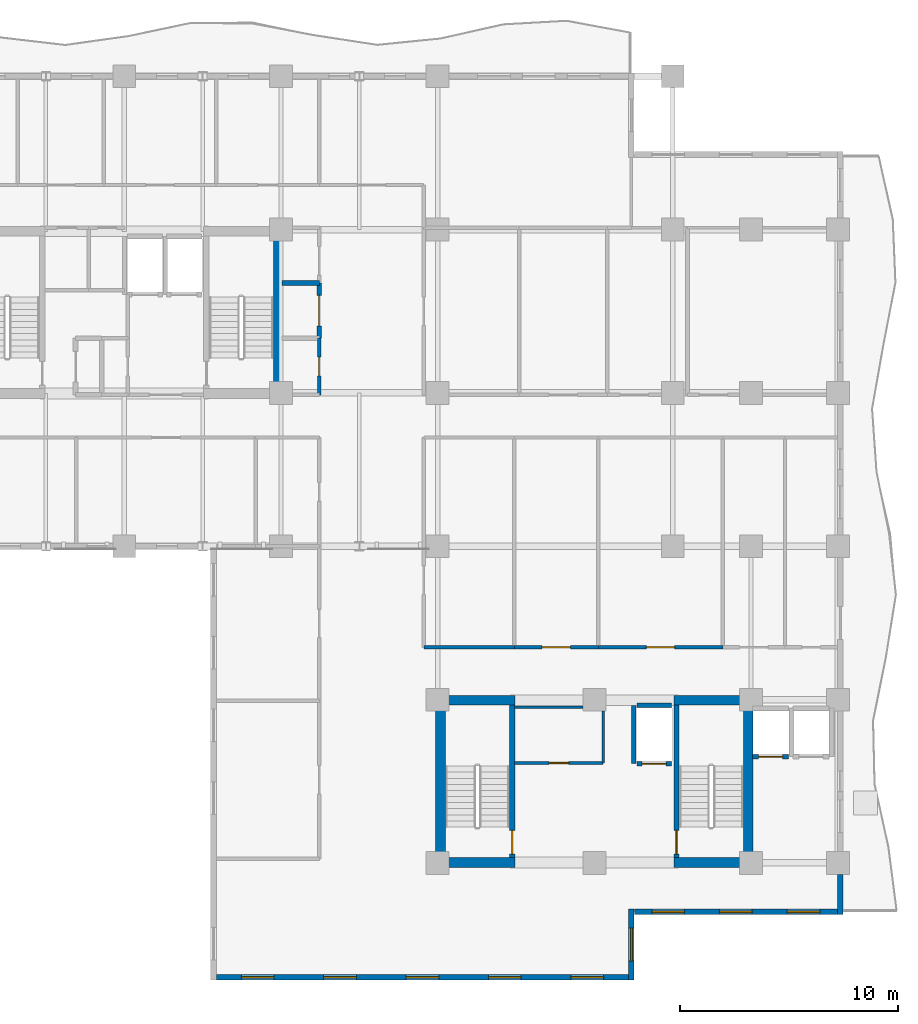
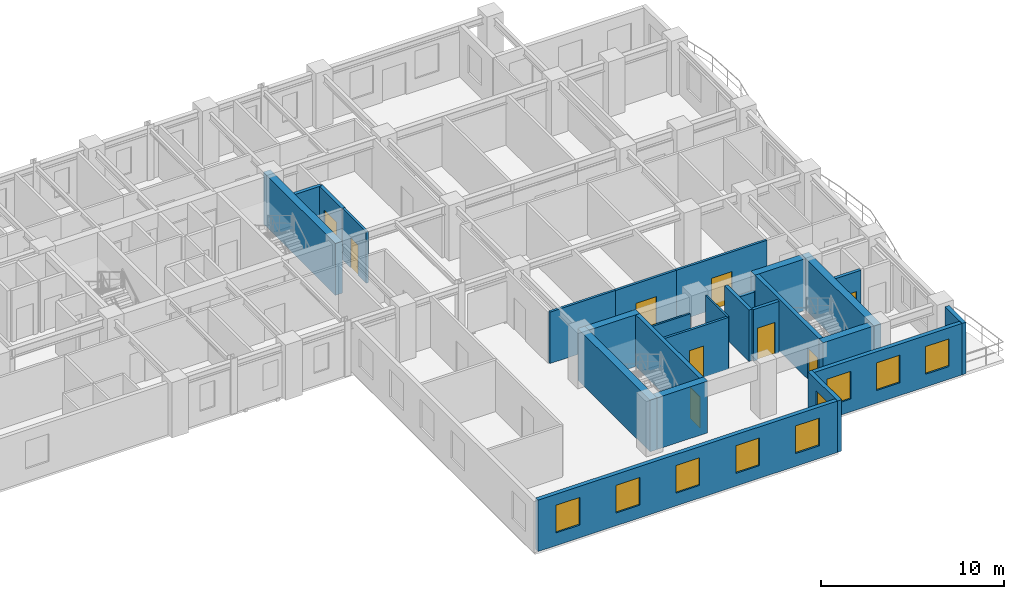
# One storey, part 6 of 13: 26 walls, 9 doors, 9 windows, 18 openings.
"""IFC4 building model written with IfcOpenShell, lengths in metres."""

import ifcopenshell
import ifcopenshell.guid

model = None  # the IFC model being written
_history = None  # IfcOwnerHistory: only IFC2X3 demands one
_inside = {}  # id of a spatial element -> (the spatial element, [elements in it])
_under = {}  # id of a project, library or spatial element -> (it, [spatial elements below it])
_declared = {}  # id of a project -> (the project, [libraries it declares])
_typed = {}  # id of a type object -> (the type object, [elements of that type])
_made_of = {}  # id of a material, layer set ... -> (it, [elements and type objects made of it])


def new_model(schema):
    """Start an empty IFC model of exactly this schema.

    Asked for "IFC4X3", IfcOpenShell would pick the latest addendum, in which some entities
    have other attributes; the version numbers below select the first issue.
    IFC2X3 requires an IfcOwnerHistory on every rooted entity: one is made here for all.
    """
    global model, _history
    if schema == "IFC4X3":
        model = ifcopenshell.file(schema_version=(4, 3, 0, 0))
    else:
        model = ifcopenshell.file(schema=schema)
    _inside.clear()
    _under.clear()
    _declared.clear()
    _typed.clear()
    _made_of.clear()
    _history = None
    if model.schema == "IFC2X3":
        org = make("IfcOrganization", Name="unknown")
        user = make(
            "IfcPersonAndOrganization",
            ThePerson=make("IfcPerson", FamilyName="unknown"),
            TheOrganization=org,
        )
        app = make(
            "IfcApplication",
            ApplicationDeveloper=org,
            Version="unknown",
            ApplicationFullName="unknown",
            ApplicationIdentifier="unknown",
        )
        _history = make(
            "IfcOwnerHistory",
            OwningUser=user,
            OwningApplication=app,
            ChangeAction="ADDED",
            CreationDate=0,
        )
    return model


def make(cls, **values):
    """One entity of the class cls with the attributes given. An attribute that is None is left unset."""
    return model.create_entity(
        cls, **{name: value for name, value in values.items() if value is not None}
    )


def rooted(cls, **values):
    """An entity with a GlobalId (a new one), such as an element, a storey or a relation."""
    return make(cls, GlobalId=ifcopenshell.guid.new(), OwnerHistory=_history, **values)


def si_unit(unit_type, name, prefix=None):
    """IfcSIUnit, for example si_unit("LENGTHUNIT", "METRE", prefix="MILLI")."""
    return make("IfcSIUnit", UnitType=unit_type, Prefix=prefix, Name=name)


def assignment(units):
    """IfcUnitAssignment: the units of a project."""
    return None if units is None else make("IfcUnitAssignment", Units=units)


def point(xyz):
    """IfcCartesianPoint."""
    return None if xyz is None else make("IfcCartesianPoint", Coordinates=xyz)


def direction(xyz):
    """IfcDirection."""
    return None if xyz is None else make("IfcDirection", DirectionRatios=xyz)


def frame(location, z_axis=None, x_axis=None):
    """IfcAxis2Placement3D, a coordinate frame: its origin and axes. An axis left out is left unset."""
    return make(
        "IfcAxis2Placement3D",
        Location=point(location),
        Axis=direction(z_axis),
        RefDirection=direction(x_axis),
    )


def frame_2d(location, x_axis=None):
    """IfcAxis2Placement2D, a coordinate frame in the plane: its origin and x axis."""
    return make(
        "IfcAxis2Placement2D", Location=point(location), RefDirection=direction(x_axis)
    )


def origin():
    """The frame at (0, 0, 0) with its axes left unset."""
    return frame((0.0, 0.0, 0.0))


def place(relative_to, where):
    """IfcLocalPlacement: puts the frame where relative to a parent placement (None: the world)."""
    return make(
        "IfcLocalPlacement", PlacementRelTo=relative_to, RelativePlacement=where
    )


def context(
    kind, dimensions, precision=None, world=None, true_north=None, identifier=None
):
    """IfcGeometricRepresentationContext, for example the 3D "Model" context."""
    return make(
        "IfcGeometricRepresentationContext",
        ContextIdentifier=identifier,
        ContextType=kind,
        CoordinateSpaceDimension=dimensions,
        Precision=precision,
        WorldCoordinateSystem=world,
        TrueNorth=true_north,
    )


def subcontext(parent, identifier, kind, view, scale=None):
    """IfcGeometricRepresentationSubContext, for example "Body" below "Model"."""
    return make(
        "IfcGeometricRepresentationSubContext",
        ContextIdentifier=identifier,
        ContextType=kind,
        ParentContext=parent,
        TargetScale=scale,
        TargetView=view,
    )


def project(units=None, contexts=None):
    """IfcProject with its units and contexts."""
    return rooted(
        "IfcProject",
        Name="project",
        RepresentationContexts=contexts,
        UnitsInContext=assignment(units),
    )


def spatial(cls, under=None, at=None, **own):
    """A site, building, storey or space (cls), placed at a placement, below another one or the project."""
    s = rooted(cls, ObjectPlacement=at, **own)
    if under is not None:
        _under.setdefault(under.id(), (under, []))[1].append(s)
    return s


def profile(cls, at=None, kind="AREA", **sizes):
    """A parametric profile (cls). Its sizes go by their IFC names, for example OverallWidth=200.0."""
    return make(cls, ProfileType=kind, Position=at, **sizes)


def rectangle(**sizes):
    """IfcRectangleProfileDef."""
    return profile("IfcRectangleProfileDef", **sizes)


def extrude(swept, where, along, depth):
    """IfcExtrudedAreaSolid: the profile swept, set in the frame where, extruded along a direction by depth."""
    return make(
        "IfcExtrudedAreaSolid",
        SweptArea=swept,
        Position=where,
        ExtrudedDirection=direction(along),
        Depth=depth,
    )


def shape(context_of_items, identifier, shape_type, items):
    """IfcShapeRepresentation: the items that make up one representation, for example the "Body"."""
    return make(
        "IfcShapeRepresentation",
        ContextOfItems=context_of_items,
        RepresentationIdentifier=identifier,
        RepresentationType=shape_type,
        Items=items,
    )


def material(Name=None, Category=None):
    """IfcMaterial."""
    return make("IfcMaterial", Name=Name, Category=Category)


def layer(
    of_material, thickness, ventilated=None, Name=None, Category=None, Priority=None
):
    """IfcMaterialLayer: one layer of a wall or slab, of a material (None: an air gap)."""
    return make(
        "IfcMaterialLayer",
        Material=of_material,
        LayerThickness=thickness,
        IsVentilated=ventilated,
        Name=Name,
        Category=Category,
        Priority=Priority,
    )


def layer_set(layers, Name=None):
    """IfcMaterialLayerSet."""
    return make("IfcMaterialLayerSet", MaterialLayers=layers, LayerSetName=Name)


def made_of(thing, what):
    """Note that an element or type object is made of a material, layer set ...; save() writes the relation."""
    if what is not None:
        _made_of.setdefault(what.id(), (what, []))[1].append(thing)
    return thing


def type_object(cls, material=None, **own):
    """A type object (cls), such as IfcWallType, which elements share."""
    return made_of(rooted(cls, **own), material)


def element(
    cls,
    number,
    at=None,
    inside=None,
    cuts=None,
    type_object=None,
    material=None,
    context=None,
    identifier="Body",
    shape_type=None,
    held_by="IfcProductDefinitionShape",
    body=None,
    shapes=None,
    **own,
):
    """One element of the class cls, such as IfcWall. Its Tag is "e" and its number.

    at: its placement. inside: the storey or other place that contains it. cuts: it is an
    opening in that element (IfcRelVoidsElement). A single representation is given by context,
    identifier, shape_type and body (its items); several are given by shapes. held_by: the class
    of the entity that holds the representations. save() writes the other relations.
    """
    e = rooted(cls, Tag="e%d" % number, ObjectPlacement=at, **own)
    if body is not None:
        shapes = [shape(context, identifier, shape_type, body)]
    if shapes is not None:
        e.Representation = make(held_by, Representations=shapes)
    if inside is not None:
        _inside.setdefault(inside.id(), (inside, []))[1].append(e)
    if cuts is not None:
        rooted(
            "IfcRelVoidsElement", RelatingBuildingElement=cuts, RelatedOpeningElement=e
        )
    if type_object is not None:
        _typed.setdefault(type_object.id(), (type_object, []))[1].append(e)
    return made_of(e, material)


def fill(opening, filler):
    """IfcRelFillsElement: the door or window that sits in an opening."""
    return rooted(
        "IfcRelFillsElement",
        RelatingOpeningElement=opening,
        RelatedBuildingElement=filler,
    )


def aggregate(whole, parts):
    """IfcRelAggregates: a whole, such as a stair, and the parts it consists of."""
    return rooted("IfcRelAggregates", RelatingObject=whole, RelatedObjects=parts)


def save(model, path):
    """Write the relations noted so far, then the file.

    IfcRelAggregates (storeys below a building ...), IfcRelContainedInSpatialStructure (elements
    in a storey), IfcRelDefinesByType, IfcRelAssociatesMaterial and IfcRelDeclares: one each for
    every whole, place, type object, material and project.
    """
    for whole, parts in _under.values():
        aggregate(whole, parts)
    for where, things in _inside.values():
        rooted(
            "IfcRelContainedInSpatialStructure",
            RelatedElements=things,
            RelatingStructure=where,
        )
    for kind, things in _typed.values():
        rooted("IfcRelDefinesByType", RelatedObjects=things, RelatingType=kind)
    for what, things in _made_of.values():
        rooted("IfcRelAssociatesMaterial", RelatedObjects=things, RelatingMaterial=what)
    for by, libraries in _declared.values():
        rooted("IfcRelDeclares", RelatingContext=by, RelatedDefinitions=libraries)
    model.write(path)


model = new_model("IFC4")

# Units and contexts
model_context = context("Model", 3, precision=1e-05, world=origin(), true_north=direction((0.0, 1.0)))
body_context = subcontext(model_context, "Body", "Model", "MODEL_VIEW")
ifc_project = project(units=[si_unit("LENGTHUNIT", "METRE"), si_unit("AREAUNIT", "SQUARE_METRE"), si_unit("VOLUMEUNIT", "CUBIC_METRE"), si_unit("PLANEANGLEUNIT", "RADIAN"), si_unit("MASSUNIT", "GRAM", prefix="KILO")], contexts=[model_context])

# Site, building, storey
site_placement = place(None, origin())
site = spatial("IfcSite", under=ifc_project, at=site_placement, CompositionType="ELEMENT")
building_placement = place(site_placement, origin())
building = spatial("IfcBuilding", under=site, at=building_placement, Name="Kaliganga Portal Commons", CompositionType="ELEMENT")
storey_placement = place(building_placement, frame((0.0, 0.0, 166.10009765625)))
storey = spatial("IfcBuildingStorey", under=building, at=storey_placement, Name="L42", CompositionType="ELEMENT", Elevation=166.10009765625)

# Walls
ifc_material_1 = material(Name="Concrete C60/75", Category="concrete")
ifc_layer_1 = layer(ifc_material_1, 0.449951171875)
ifc_layer_set_1 = layer_set([ifc_layer_1], Name="Concrete C60/75")
wall_type_1 = type_object("IfcWallType", Name="WL-CORE-450", PredefinedType="SHEAR", material=ifc_layer_set_1)
wall_1_placement = place(storey_placement, frame((28.675048828125, 28.39990234375, 0.0), z_axis=(0.0, 0.0, 1.0), x_axis=(0.0, 1.0, 0.0)))
element("IfcWall", 1, at=wall_1_placement, inside=storey, type_object=wall_type_1, Name="Core A East Shear Wall L42", PredefinedType="SHEAR", context=body_context, shape_type="SweptSolid", body=[
    extrude(rectangle(XDim=7.900146484375, YDim=0.449951171875, at=frame_2d((3.9501953125, 0.0))), origin(), (0.0, 0.0, 1.0), 3.4599609375),
])
for number, where, z_axis, x_axis, name in (
    (2, (36.125, 6.85009765625, 0.0), (0.0, 0.0, 1.0), (0.0, 1.0, 0.0), "Core B West Shear Wall L42"),
    (3, (50.27490234375, 6.85009765625, 0.0), (0.0, 0.0, 1.0), (0.0, 1.0, 0.0), "Core B East Shear Wall L42"),
):
    element("IfcWall", number, at=place(storey_placement, frame(where, z_axis=z_axis, x_axis=x_axis)), inside=storey, type_object=wall_type_1, Name=name, PredefinedType="SHEAR", context=body_context, shape_type="SweptSolid", body=[
        extrude(rectangle(XDim=7.89990234375, YDim=0.449951171875, at=frame_2d((3.949951171875, 0.0))), origin(), (0.0, 0.0, 1.0), 3.4599609375),
    ])
for number, where, z_axis, x_axis, name in (
    (4, (36.35009765625, 7.074951171875, 0.0), (0.0, 0.0, 1.0), (1.0, 0.0, 0.0), "Core B S-West Shear Wall L42"),
    (5, (46.85009765625, 7.074951171875, 0.0), (0.0, 0.0, 1.0), (1.0, 0.0, 0.0), "Core B S-East Shear Wall L42"),
    (6, (36.35009765625, 14.52490234375, 0.0), (0.0, 0.0, 1.0), (1.0, 0.0, 0.0), "Core B N-West Shear Wall L42"),
    (7, (46.85009765625, 14.52490234375, 0.0), (0.0, 0.0, 1.0), (1.0, 0.0, 0.0), "Core B N-East Shear Wall L42"),
):
    element("IfcWall", number, at=place(storey_placement, frame(where, z_axis=z_axis, x_axis=x_axis)), inside=storey, type_object=wall_type_1, Name=name, PredefinedType="SHEAR", context=body_context, shape_type="SweptSolid", body=[
        extrude(rectangle(XDim=3.199951171875, YDim=0.449951171875, at=frame_2d((1.60009765625, 0.0))), origin(), (0.0, 0.0, 1.0), 3.4599609375),
    ])

# Wall, openings, windows
ifc_material_2 = material(Name="Insulated Aluminium-Clad Spandrel Assembly", Category="aluminium")
ifc_layer_2 = layer(ifc_material_2, 0.260009765625)
ifc_layer_set_2 = layer_set([ifc_layer_2], Name="Insulated Aluminium-Clad Spandrel Assembly")
wall_type_2 = type_object("IfcWallType", Name="WL-EXT-SPAND-260", PredefinedType="STANDARD", material=ifc_layer_set_2)
wall_2_placement = place(storey_placement, frame((44.764892578125, 1.800048828125, 0.0), z_axis=(0.0, 0.0, 1.0), x_axis=(-1.0, 0.0, 0.0)))
wall_2 = element("IfcWall", 8, at=wall_2_placement, inside=storey, type_object=wall_type_2, Name="Exterior Envelope Wall L42 P1-E00-S1", PredefinedType="STANDARD", context=body_context, shape_type="SweptSolid", body=[
    extrude(rectangle(XDim=18.929931640625, YDim=0.260009765625, at=frame_2d((9.46484375, 0.0))), origin(), (0.0, 0.0, 1.0), 3.43994140625),
])
opening_1_placement = place(wall_2_placement, frame((1.14306640625, 0.0, 0.85009765625)))
opening_1 = element("IfcOpeningElement", 9, at=opening_1_placement, cuts=wall_2, Name="Opening W-02", PredefinedType="OPENING", context=body_context, shape_type="SweptSolid", body=[
    extrude(rectangle(XDim=1.5, YDim=1.85009765625, at=frame_2d((0.75, 0.925048828125))), frame((0.0, 0.14013671875, 0.0), z_axis=(0.0, -1.0, 0.0), x_axis=(1.0, 0.0, 0.0)), (0.0, 0.0, 1.0), 0.280029296875),
])
opening_2_placement = place(wall_2_placement, frame((4.928955078125, 0.0, 0.85009765625)))
opening_2 = element("IfcOpeningElement", 10, at=opening_2_placement, cuts=wall_2, Name="Opening W-02", PredefinedType="OPENING", context=body_context, shape_type="SweptSolid", body=[
    extrude(rectangle(XDim=1.5, YDim=1.85009765625, at=frame_2d((0.75, 0.925048828125))), frame((0.0, 0.14013671875, 0.0), z_axis=(0.0, -1.0, 0.0), x_axis=(1.0, 0.0, 0.0)), (0.0, 0.0, 1.0), 0.280029296875),
])
opening_3_placement = place(wall_2_placement, frame((8.715087890625, 0.0, 0.85009765625)))
opening_3 = element("IfcOpeningElement", 11, at=opening_3_placement, cuts=wall_2, Name="Opening W-02", PredefinedType="OPENING", context=body_context, shape_type="SweptSolid", body=[
    extrude(rectangle(XDim=1.5, YDim=1.85009765625, at=frame_2d((0.75, 0.925048828125))), frame((0.0, 0.14013671875, 0.0), z_axis=(0.0, -1.0, 0.0), x_axis=(1.0, 0.0, 0.0)), (0.0, 0.0, 1.0), 0.280029296875),
])
opening_4_placement = place(wall_2_placement, frame((12.5009765625, 0.0, 0.85009765625)))
opening_4 = element("IfcOpeningElement", 12, at=opening_4_placement, cuts=wall_2, Name="Opening W-02", PredefinedType="OPENING", context=body_context, shape_type="SweptSolid", body=[
    extrude(rectangle(XDim=1.5, YDim=1.85009765625, at=frame_2d((0.75, 0.925048828125))), frame((0.0, 0.14013671875, 0.0), z_axis=(0.0, -1.0, 0.0), x_axis=(1.0, 0.0, 0.0)), (0.0, 0.0, 1.0), 0.280029296875),
])
opening_5_placement = place(wall_2_placement, frame((16.287109375, 0.0, 0.85009765625)))
opening_5 = element("IfcOpeningElement", 13, at=opening_5_placement, cuts=wall_2, Name="Opening W-02", PredefinedType="OPENING", context=body_context, shape_type="SweptSolid", body=[
    extrude(rectangle(XDim=1.5, YDim=1.85009765625, at=frame_2d((0.75, 0.925048828125))), frame((0.0, 0.14013671875, 0.0), z_axis=(0.0, -1.0, 0.0), x_axis=(1.0, 0.0, 0.0)), (0.0, 0.0, 1.0), 0.280029296875),
])
ifc_material_3 = material(Name="Thermally Broken Aluminium and Low-E Double Glazing", Category="aluminium")
window_type = type_object("IfcWindowType", Name="WIN-STD-1500", PartitioningType="DOUBLE_PANEL_VERTICAL", PredefinedType="WINDOW", material=ifc_material_3)
window_1_placement = place(opening_1_placement, origin())
window_1 = element("IfcWindow", 14, at=window_1_placement, inside=storey, type_object=window_type, Name="Facade Window L42-P1E00S1-00", OverallHeight=1.85009765625, OverallWidth=1.5, PartitioningType="SINGLE_PANEL", PredefinedType="WINDOW", context=body_context, shape_type="SweptSolid", body=[
    extrude(rectangle(XDim=1.5, YDim=1.85009765625, at=frame_2d((0.75, 0.925048828125))), frame((0.0, 0.030029296875, 0.0), z_axis=(0.0, -1.0, 0.0), x_axis=(1.0, 0.0, 0.0)), (0.0, 0.0, 1.0), 0.06005859375),
])
fill(opening_1, window_1)
window_2_placement = place(opening_2_placement, origin())
window_2 = element("IfcWindow", 15, at=window_2_placement, inside=storey, type_object=window_type, Name="Facade Window L42-P1E00S1-01", OverallHeight=1.85009765625, OverallWidth=1.5, PartitioningType="SINGLE_PANEL", PredefinedType="WINDOW", context=body_context, shape_type="SweptSolid", body=[
    extrude(rectangle(XDim=1.5, YDim=1.85009765625, at=frame_2d((0.75, 0.925048828125))), frame((0.0, 0.030029296875, 0.0), z_axis=(0.0, -1.0, 0.0), x_axis=(1.0, 0.0, 0.0)), (0.0, 0.0, 1.0), 0.06005859375),
])
fill(opening_2, window_2)
window_3_placement = place(opening_3_placement, origin())
window_3 = element("IfcWindow", 16, at=window_3_placement, inside=storey, type_object=window_type, Name="Facade Window L42-P1E00S1-02", OverallHeight=1.85009765625, OverallWidth=1.5, PartitioningType="SINGLE_PANEL", PredefinedType="WINDOW", context=body_context, shape_type="SweptSolid", body=[
    extrude(rectangle(XDim=1.5, YDim=1.85009765625, at=frame_2d((0.75, 0.925048828125))), frame((0.0, 0.030029296875, 0.0), z_axis=(0.0, -1.0, 0.0), x_axis=(1.0, 0.0, 0.0)), (0.0, 0.0, 1.0), 0.06005859375),
])
fill(opening_3, window_3)
window_4_placement = place(opening_4_placement, origin())
window_4 = element("IfcWindow", 17, at=window_4_placement, inside=storey, type_object=window_type, Name="Facade Window L42-P1E00S1-03", OverallHeight=1.85009765625, OverallWidth=1.5, PartitioningType="SINGLE_PANEL", PredefinedType="WINDOW", context=body_context, shape_type="SweptSolid", body=[
    extrude(rectangle(XDim=1.5, YDim=1.85009765625, at=frame_2d((0.75, 0.925048828125))), frame((0.0, 0.030029296875, 0.0), z_axis=(0.0, -1.0, 0.0), x_axis=(1.0, 0.0, 0.0)), (0.0, 0.0, 1.0), 0.06005859375),
])
fill(opening_4, window_4)
window_5_placement = place(opening_5_placement, origin())
window_5 = element("IfcWindow", 18, at=window_5_placement, inside=storey, type_object=window_type, Name="Facade Window L42-P1E00S1-04", OverallHeight=1.85009765625, OverallWidth=1.5, PartitioningType="SINGLE_PANEL", PredefinedType="WINDOW", context=body_context, shape_type="SweptSolid", body=[
    extrude(rectangle(XDim=1.5, YDim=1.85009765625, at=frame_2d((0.75, 0.925048828125))), frame((0.0, 0.030029296875, 0.0), z_axis=(0.0, -1.0, 0.0), x_axis=(1.0, 0.0, 0.0)), (0.0, 0.0, 1.0), 0.06005859375),
])
fill(opening_5, window_5)

# Wall, opening, window
wall_3_placement = place(storey_placement, frame((44.89990234375, 4.929931640625, 0.0), z_axis=(0.0, 0.0, 1.0), x_axis=(0.0, -1.0, 0.0)))
wall_3 = element("IfcWall", 19, at=wall_3_placement, inside=storey, type_object=wall_type_2, Name="Exterior Envelope Wall L42 P1-E01-S1", PredefinedType="STANDARD", context=body_context, shape_type="SweptSolid", body=[
    extrude(rectangle(XDim=3.260009765625, YDim=0.260009765625, at=frame_2d((1.6298828125, 0.0))), origin(), (0.0, 0.0, 1.0), 3.43994140625),
])
opening_6_placement = place(wall_3_placement, frame((0.8798828125, 0.0, 0.85009765625)))
opening_6 = element("IfcOpeningElement", 20, at=opening_6_placement, cuts=wall_3, Name="Opening W-02", PredefinedType="OPENING", context=body_context, shape_type="SweptSolid", body=[
    extrude(rectangle(XDim=1.5, YDim=1.85009765625, at=frame_2d((0.75, 0.925048828125))), frame((0.0, 0.14013671875, 0.0), z_axis=(0.0, -1.0, 0.0), x_axis=(1.0, 0.0, 0.0)), (0.0, 0.0, 1.0), 0.280029296875),
])
window_6_placement = place(opening_6_placement, origin())
window_6 = element("IfcWindow", 21, at=window_6_placement, inside=storey, type_object=window_type, Name="Facade Window L42-P1E01S1-00", OverallHeight=1.85009765625, OverallWidth=1.5, PartitioningType="SINGLE_PANEL", PredefinedType="WINDOW", context=body_context, shape_type="SweptSolid", body=[
    extrude(rectangle(XDim=1.5, YDim=1.85009765625, at=frame_2d((0.75, 0.925048828125))), frame((0.0, 0.030029296875, 0.0), z_axis=(0.0, -1.0, 0.0), x_axis=(1.0, 0.0, 0.0)), (0.0, 0.0, 1.0), 0.06005859375),
])
fill(opening_6, window_6)

# Wall, openings, windows
wall_4_placement = place(storey_placement, frame((54.364990234375, 4.800048828125, 0.0), z_axis=(0.0, 0.0, 1.0), x_axis=(-1.0, 0.0, 0.0)))
wall_4 = element("IfcWall", 22, at=wall_4_placement, inside=storey, type_object=wall_type_2, Name="Exterior Envelope Wall L42 P1-E02-S1", PredefinedType="STANDARD", context=body_context, shape_type="SweptSolid", body=[
    extrude(rectangle(XDim=9.330078125, YDim=0.260009765625, at=frame_2d((4.6650390625, 0.0))), origin(), (0.0, 0.0, 1.0), 3.43994140625),
])
opening_7_placement = place(wall_4_placement, frame((0.804931640625, 0.0, 0.85009765625)))
opening_7 = element("IfcOpeningElement", 23, at=opening_7_placement, cuts=wall_4, Name="Opening W-02", PredefinedType="OPENING", context=body_context, shape_type="SweptSolid", body=[
    extrude(rectangle(XDim=1.5, YDim=1.85009765625, at=frame_2d((0.75, 0.925048828125))), frame((0.0, 0.14013671875, 0.0), z_axis=(0.0, -1.0, 0.0), x_axis=(1.0, 0.0, 0.0)), (0.0, 0.0, 1.0), 0.280029296875),
])
opening_8_placement = place(wall_4_placement, frame((3.9150390625, 0.0, 0.85009765625)))
opening_8 = element("IfcOpeningElement", 24, at=opening_8_placement, cuts=wall_4, Name="Opening W-02", PredefinedType="OPENING", context=body_context, shape_type="SweptSolid", body=[
    extrude(rectangle(XDim=1.5, YDim=1.85009765625, at=frame_2d((0.75, 0.925048828125))), frame((0.0, 0.14013671875, 0.0), z_axis=(0.0, -1.0, 0.0), x_axis=(1.0, 0.0, 0.0)), (0.0, 0.0, 1.0), 0.280029296875),
])
opening_9_placement = place(wall_4_placement, frame((7.02490234375, 0.0, 0.85009765625)))
opening_9 = element("IfcOpeningElement", 25, at=opening_9_placement, cuts=wall_4, Name="Opening W-02", PredefinedType="OPENING", context=body_context, shape_type="SweptSolid", body=[
    extrude(rectangle(XDim=1.5, YDim=1.85009765625, at=frame_2d((0.75, 0.925048828125))), frame((0.0, 0.14013671875, 0.0), z_axis=(0.0, -1.0, 0.0), x_axis=(1.0, 0.0, 0.0)), (0.0, 0.0, 1.0), 0.280029296875),
])
window_7_placement = place(opening_7_placement, origin())
window_7 = element("IfcWindow", 26, at=window_7_placement, inside=storey, type_object=window_type, Name="Facade Window L42-P1E02S1-00", OverallHeight=1.85009765625, OverallWidth=1.5, PartitioningType="SINGLE_PANEL", PredefinedType="WINDOW", context=body_context, shape_type="SweptSolid", body=[
    extrude(rectangle(XDim=1.5, YDim=1.85009765625, at=frame_2d((0.75, 0.925048828125))), frame((0.0, 0.030029296875, 0.0), z_axis=(0.0, -1.0, 0.0), x_axis=(1.0, 0.0, 0.0)), (0.0, 0.0, 1.0), 0.06005859375),
])
fill(opening_7, window_7)
window_8_placement = place(opening_8_placement, origin())
window_8 = element("IfcWindow", 27, at=window_8_placement, inside=storey, type_object=window_type, Name="Facade Window L42-P1E02S1-01", OverallHeight=1.85009765625, OverallWidth=1.5, PartitioningType="SINGLE_PANEL", PredefinedType="WINDOW", context=body_context, shape_type="SweptSolid", body=[
    extrude(rectangle(XDim=1.5, YDim=1.85009765625, at=frame_2d((0.75, 0.925048828125))), frame((0.0, 0.030029296875, 0.0), z_axis=(0.0, -1.0, 0.0), x_axis=(1.0, 0.0, 0.0)), (0.0, 0.0, 1.0), 0.06005859375),
])
fill(opening_8, window_8)
window_9_placement = place(opening_9_placement, origin())
window_9 = element("IfcWindow", 28, at=window_9_placement, inside=storey, type_object=window_type, Name="Facade Window L42-P1E02S1-02", OverallHeight=1.85009765625, OverallWidth=1.5, PartitioningType="SINGLE_PANEL", PredefinedType="WINDOW", context=body_context, shape_type="SweptSolid", body=[
    extrude(rectangle(XDim=1.5, YDim=1.85009765625, at=frame_2d((0.75, 0.925048828125))), frame((0.0, 0.030029296875, 0.0), z_axis=(0.0, -1.0, 0.0), x_axis=(1.0, 0.0, 0.0)), (0.0, 0.0, 1.0), 0.06005859375),
])
fill(opening_9, window_9)

# Wall
wall_5_placement = place(storey_placement, frame((54.5, 6.52392578125, 0.0), z_axis=(0.0, 0.0, 1.0), x_axis=(0.0, -1.0, 0.0)))
element("IfcWall", 29, at=wall_5_placement, inside=storey, type_object=wall_type_2, Name="Exterior Envelope Wall L42 P1-E03-S1", PredefinedType="STANDARD", context=body_context, shape_type="SweptSolid", body=[
    extrude(rectangle(XDim=1.85400390625, YDim=0.260009765625, at=frame_2d((0.927001953125, 0.0))), origin(), (0.0, 0.0, 1.0), 3.43994140625),
])

# Wall, opening, door
ifc_material_4 = material(Name="Fire-Rated Gypsum Board on Steel Stud", Category="steel")
ifc_layer_3 = layer(ifc_material_4, 0.14990234375)
ifc_layer_set_3 = layer_set([ifc_layer_3], Name="Fire-Rated Gypsum Board on Steel Stud")
wall_type_3 = type_object("IfcWallType", Name="WL-PART-CORR-150", PredefinedType="PARTITIONING", material=ifc_layer_set_3)
wall_6_placement = place(storey_placement, frame((43.3798828125, 16.9599609375, 0.0), z_axis=(0.0, 0.0, 1.0), x_axis=(1.0, 0.0, 0.0)))
wall_6 = element("IfcWall", 30, at=wall_6_placement, inside=storey, type_object=wall_type_3, Name="Interior Partition L42-017", PredefinedType="PARTITIONING", context=body_context, shape_type="SweptSolid", body=[
    extrude(rectangle(XDim=5.72021484375, YDim=0.14990234375, at=frame_2d((2.860107421875, 0.0))), origin(), (0.0, 0.0, 1.0), 3.43994140625),
])
opening_10_placement = place(wall_6_placement, frame((2.2099609375, 0.0, 0.0)))
opening_10 = element("IfcOpeningElement", 31, at=opening_10_placement, cuts=wall_6, Name="Opening RD-03", PredefinedType="OPENING", context=body_context, shape_type="SweptSolid", body=[
    extrude(rectangle(XDim=1.300048828125, YDim=2.1201171875, at=frame_2d((0.64990234375, 1.06005859375))), frame((0.0, 0.0849609375, 0.0), z_axis=(0.0, -1.0, 0.0), x_axis=(1.0, 0.0, 0.0)), (0.0, 0.0, 1.0), 0.169921875),
])
ifc_material_5 = material(Name="Glazed Timber Seminar Vision Door", Category="wood")
door_type_1 = type_object("IfcDoorType", Name="DR-STUDY-1300", OperationType="DOUBLE_DOOR_SINGLE_SWING", PredefinedType="DOOR", material=ifc_material_5)
door_1_placement = place(opening_10_placement, origin())
door_1 = element("IfcDoor", 32, at=door_1_placement, inside=storey, type_object=door_type_1, Name="Interior Door L42-BM03", OperationType="DOUBLE_DOOR_SINGLE_SWING", OverallHeight=2.1201171875, OverallWidth=1.300048828125, PredefinedType="DOOR", context=body_context, shape_type="SweptSolid", body=[
    extrude(rectangle(XDim=1.300048828125, YDim=2.1201171875, at=frame_2d((0.64990234375, 1.06005859375))), frame((0.0, 0.02490234375, 0.0), z_axis=(0.0, -1.0, 0.0), x_axis=(1.0, 0.0, 0.0)), (0.0, 0.0, 1.0), 0.050048828125),
])
fill(opening_10, door_1)

# Wall
wall_7_placement = place(storey_placement, frame((35.360107421875, 16.9599609375, 0.0), z_axis=(0.0, 0.0, 1.0), x_axis=(1.0, 0.0, 0.0)))
element("IfcWall", 33, at=wall_7_placement, inside=storey, type_object=wall_type_3, Name="Interior Partition L42-025", PredefinedType="PARTITIONING", context=body_context, shape_type="SweptSolid", body=[
    extrude(rectangle(XDim=4.159912109375, YDim=0.14990234375, at=frame_2d((2.080078125, 0.0))), origin(), (0.0, 0.0, 1.0), 3.43994140625),
])

# Wall, opening, door
wall_8_placement = place(storey_placement, frame((39.5400390625, 11.639892578125, 0.0), z_axis=(0.0, 0.0, 1.0), x_axis=(1.0, 0.0, 0.0)))
wall_8 = element("IfcWall", 34, at=wall_8_placement, inside=storey, type_object=wall_type_3, Name="Interior Partition L42-027", PredefinedType="PARTITIONING", context=body_context, shape_type="SweptSolid", body=[
    extrude(rectangle(XDim=4.06005859375, YDim=0.14990234375, at=frame_2d((2.030029296875, 0.0))), origin(), (0.0, 0.0, 1.0), 3.43994140625),
])
opening_11_placement = place(wall_8_placement, frame((1.580078125, 0.0, 0.0)))
opening_11 = element("IfcOpeningElement", 35, at=opening_11_placement, cuts=wall_8, Name="Opening RD-01", PredefinedType="OPENING", context=body_context, shape_type="SweptSolid", body=[
    extrude(rectangle(XDim=0.89990234375, YDim=2.080078125, at=frame_2d((0.449951171875, 1.0400390625))), frame((0.0, 0.0849609375, 0.0), z_axis=(0.0, -1.0, 0.0), x_axis=(1.0, 0.0, 0.0)), (0.0, 0.0, 1.0), 0.169921875),
])
ifc_material_6 = material(Name="Engineered Timber Flush Door", Category="wood")
door_type_2 = type_object("IfcDoorType", Name="DR-ROOM-900", OperationType="NOTDEFINED", PredefinedType="DOOR", material=ifc_material_6)
door_2_placement = place(opening_11_placement, origin())
door_2 = element("IfcDoor", 36, at=door_2_placement, inside=storey, type_object=door_type_2, Name="Interior Door L42-CREC_B1", OperationType="SINGLE_SWING_LEFT", OverallHeight=2.080078125, OverallWidth=0.89990234375, PredefinedType="DOOR", context=body_context, shape_type="SweptSolid", body=[
    extrude(rectangle(XDim=0.89990234375, YDim=2.080078125, at=frame_2d((0.449951171875, 1.0400390625))), frame((0.0, 0.02490234375, 0.0), z_axis=(0.0, -1.0, 0.0), x_axis=(1.0, 0.0, 0.0)), (0.0, 0.0, 1.0), 0.050048828125),
])
fill(opening_11, door_2)

wall_9_placement = place(storey_placement, frame((39.52001953125, 16.9599609375, 0.0), z_axis=(0.0, 0.0, 1.0), x_axis=(1.0, 0.0, 0.0)))
wall_9 = element("IfcWall", 37, at=wall_9_placement, inside=storey, type_object=wall_type_3, Name="Interior Partition L42-030", PredefinedType="PARTITIONING", context=body_context, shape_type="SweptSolid", body=[
    extrude(rectangle(XDim=3.85986328125, YDim=0.14990234375, at=frame_2d((1.929931640625, 0.0))), origin(), (0.0, 0.0, 1.0), 3.43994140625),
])
opening_12_placement = place(wall_9_placement, frame((1.280029296875, 0.0, 0.0)))
opening_12 = element("IfcOpeningElement", 38, at=opening_12_placement, cuts=wall_9, Name="Opening RD-03", PredefinedType="OPENING", context=body_context, shape_type="SweptSolid", body=[
    extrude(rectangle(XDim=1.300048828125, YDim=2.1201171875, at=frame_2d((0.64990234375, 1.06005859375))), frame((0.0, 0.0849609375, 0.0), z_axis=(0.0, -1.0, 0.0), x_axis=(1.0, 0.0, 0.0)), (0.0, 0.0, 1.0), 0.169921875),
])
door_3_placement = place(opening_12_placement, origin())
door_3 = element("IfcDoor", 39, at=door_3_placement, inside=storey, type_object=door_type_1, Name="Interior Door L42-BM02", OperationType="DOUBLE_DOOR_SINGLE_SWING", OverallHeight=2.1201171875, OverallWidth=1.300048828125, PredefinedType="DOOR", context=body_context, shape_type="SweptSolid", body=[
    extrude(rectangle(XDim=1.300048828125, YDim=2.1201171875, at=frame_2d((0.64990234375, 1.06005859375))), frame((0.0, 0.02490234375, 0.0), z_axis=(0.0, -1.0, 0.0), x_axis=(1.0, 0.0, 0.0)), (0.0, 0.0, 1.0), 0.050048828125),
])
fill(opening_12, door_3)

wall_10_placement = place(storey_placement, frame((30.56005859375, 28.56005859375, 0.0), z_axis=(0.0, 0.0, 1.0), x_axis=(0.0, 1.0, 0.0)))
wall_10 = element("IfcWall", 40, at=wall_10_placement, inside=storey, type_object=wall_type_3, Name="Interior Partition L42-042", PredefinedType="PARTITIONING", context=body_context, shape_type="SweptSolid", body=[
    extrude(rectangle(XDim=2.599853515625, YDim=0.14990234375, at=frame_2d((1.2998046875, 0.0))), origin(), (0.0, 0.0, 1.0), 3.43994140625),
])
opening_13_placement = place(wall_10_placement, frame((0.8701171875, 0.0, 0.0)))
opening_13 = element("IfcOpeningElement", 41, at=opening_13_placement, cuts=wall_10, Name="Opening WD-02", PredefinedType="OPENING", context=body_context, shape_type="SweptSolid", body=[
    extrude(rectangle(XDim=0.860107421875, YDim=2.02001953125, at=frame_2d((0.43017578125, 1.010009765625))), frame((0.0, 0.0849609375, 0.0), z_axis=(0.0, -1.0, 0.0), x_axis=(1.0, 0.0, 0.0)), (0.0, 0.0, 1.0), 0.169921875),
])
ifc_material_7 = material(Name="Fire-Rated Utility Closet Door", Category="wood")
door_type_3 = type_object("IfcDoorType", Name="DR-STORE-800", OperationType="NOTDEFINED", PredefinedType="DOOR", material=ifc_material_7)
door_4_placement = place(opening_13_placement, origin())
door_4 = element("IfcDoor", 42, at=door_4_placement, inside=storey, type_object=door_type_3, Name="Interior Door L42-CSRV_A1", OperationType="SINGLE_SWING_RIGHT", OverallHeight=2.02001953125, OverallWidth=0.860107421875, PredefinedType="DOOR", context=body_context, shape_type="SweptSolid", body=[
    extrude(rectangle(XDim=0.860107421875, YDim=2.02001953125, at=frame_2d((0.43017578125, 1.010009765625))), frame((0.0, 0.02490234375, 0.0), z_axis=(0.0, -1.0, 0.0), x_axis=(1.0, 0.0, 0.0)), (0.0, 0.0, 1.0), 0.050048828125),
])
fill(opening_13, door_4)

ifc_material_8 = material(Name="Lightweight blockwork masonry", Category="masonry")
ifc_layer_4 = layer(ifc_material_8, 0.215087890625)
ifc_layer_set_4 = layer_set([ifc_layer_4], Name="Lightweight blockwork masonry")
wall_type_4 = type_object("IfcWallType", Name="WL-PART-PLANT-215", PredefinedType="PARTITIONING", material=ifc_layer_set_4)
wall_11_placement = place(storey_placement, frame((30.56005859375, 31.159912109375, 0.0), z_axis=(0.0, 0.0, 1.0), x_axis=(0.0, 1.0, 0.0)))
wall_11 = element("IfcWall", 43, at=wall_11_placement, inside=storey, type_object=wall_type_4, Name="Interior Partition L42-043", PredefinedType="PARTITIONING", context=body_context, shape_type="SweptSolid", body=[
    extrude(rectangle(XDim=2.5400390625, YDim=0.215087890625, at=frame_2d((1.27001953125, 0.0))), origin(), (0.0, 0.0, 1.0), 3.43994140625),
])
opening_14_placement = place(wall_11_placement, frame((0.570068359375, 0.0, 0.0)))
opening_14 = element("IfcOpeningElement", 44, at=opening_14_placement, cuts=wall_11, Name="Opening PD-01", PredefinedType="OPENING", context=body_context, shape_type="SweptSolid", body=[
    extrude(rectangle(XDim=1.39990234375, YDim=2.14990234375, at=frame_2d((0.699951171875, 1.074951171875))), frame((0.0, 0.11767578125, 0.0), z_axis=(0.0, -1.0, 0.0), x_axis=(1.0, 0.0, 0.0)), (0.0, 0.0, 1.0), 0.235107421875),
])
ifc_material_9 = material(Name="Heavy-Duty Steel Acoustic Louvre Fire Door", Category="steel")
door_type_4 = type_object("IfcDoorType", Name="DR-PLANT-1400", OperationType="DOUBLE_DOOR_SINGLE_SWING", PredefinedType="DOOR", material=ifc_material_9)
door_5_placement = place(opening_14_placement, origin())
door_5 = element("IfcDoor", 45, at=door_5_placement, inside=storey, type_object=door_type_4, Name="Interior Door L42-CSRV_A3", OperationType="DOUBLE_DOOR_SINGLE_SWING", OverallHeight=2.14990234375, OverallWidth=1.39990234375, PredefinedType="DOOR", context=body_context, shape_type="SweptSolid", body=[
    extrude(rectangle(XDim=1.39990234375, YDim=2.14990234375, at=frame_2d((0.699951171875, 1.074951171875))), frame((0.0, 0.02490234375, 0.0), z_axis=(0.0, -1.0, 0.0), x_axis=(1.0, 0.0, 0.0)), (0.0, 0.0, 1.0), 0.050048828125),
])
fill(opening_14, door_5)

# Walls
wall_12_placement = place(storey_placement, frame((28.840087890625, 33.699951171875, 0.0), z_axis=(0.0, 0.0, 1.0), x_axis=(1.0, 0.0, 0.0)))
element("IfcWall", 46, at=wall_12_placement, inside=storey, type_object=wall_type_4, Name="Interior Partition L42-093", PredefinedType="PARTITIONING", context=body_context, shape_type="SweptSolid", body=[
    extrude(rectangle(XDim=1.719970703125, YDim=0.215087890625, at=frame_2d((0.85986328125, 0.0))), origin(), (0.0, 0.0, 1.0), 3.43994140625),
])
ifc_material_10 = material(Name="Moisture-Resistant Gypsum Partition", Category="gypsum")
ifc_layer_5 = layer(ifc_material_10, 0.114990234375)
ifc_layer_set_5 = layer_set([ifc_layer_5], Name="Moisture-Resistant Gypsum Partition")
wall_type_5 = type_object("IfcWallType", Name="WL-PART-ROOM-115", PredefinedType="PARTITIONING", material=ifc_layer_set_5)
wall_13_placement = place(storey_placement, frame((39.5400390625, 14.199951171875, 0.0), z_axis=(0.0, 0.0, 1.0), x_axis=(1.0, 0.0, 0.0)))
element("IfcWall", 47, at=wall_13_placement, inside=storey, type_object=wall_type_5, Name="Interior Partition L42-081", PredefinedType="PARTITIONING", context=body_context, shape_type="SweptSolid", body=[
    extrude(rectangle(XDim=3.135009765625, YDim=0.114990234375, at=frame_2d((1.5673828125, 0.0))), origin(), (0.0, 0.0, 1.0), 2.43994140625),
])
wall_14_placement = place(storey_placement, frame((43.60009765625, 11.639892578125, 0.0), z_axis=(0.0, 0.0, 1.0), x_axis=(0.0, 1.0, 0.0)))
element("IfcWall", 48, at=wall_14_placement, inside=storey, type_object=wall_type_5, Name="Interior Partition L42-089", PredefinedType="PARTITIONING", context=body_context, shape_type="SweptSolid", body=[
    extrude(rectangle(XDim=2.385009765625, YDim=0.114990234375, at=frame_2d((1.1923828125, 0.0))), origin(), (0.0, 0.0, 1.0), 3.43994140625),
])

# Wall, opening, door
ifc_material_11 = material(Name="Fire-Rated Shaftwall Masonry Assembly", Category="masonry")
ifc_layer_6 = layer(ifc_material_11, 0.199951171875)
ifc_layer_set_6 = layer_set([ifc_layer_6], Name="Fire-Rated Shaftwall Masonry Assembly")
wall_type_6 = type_object("IfcWallType", Name="WL-SHAFT-200", PredefinedType="PARTITIONING", material=ifc_layer_set_6)
wall_15_placement = place(storey_placement, frame((50.47509765625, 11.93505859375, 0.0), z_axis=(0.0, 0.0, 1.0), x_axis=(1.0, 0.0, 0.0)))
wall_15 = element("IfcWall", 49, at=wall_15_placement, inside=storey, type_object=wall_type_6, Name="Lift PL-B3 Hoistway Shaft Wall L42-S", PredefinedType="PARTITIONING", context=body_context, shape_type="SweptSolid", body=[
    extrude(rectangle(XDim=1.64990234375, YDim=0.199951171875, at=frame_2d((0.824951171875, 0.0))), origin(), (0.0, 0.0, 1.0), 3.43994140625),
])
opening_15_placement = place(wall_15_placement, frame((0.27490234375, 0.0, 0.0)))
opening_15 = element("IfcOpeningElement", 50, at=opening_15_placement, cuts=wall_15, Name="Opening LD-01", PredefinedType="OPENING", context=body_context, shape_type="SweptSolid", body=[
    extrude(rectangle(XDim=1.10009765625, YDim=2.1201171875, at=frame_2d((0.550048828125, 1.06005859375))), frame((0.0, 0.10986328125, 0.0), z_axis=(0.0, -1.0, 0.0), x_axis=(1.0, 0.0, 0.0)), (0.0, 0.0, 1.0), 0.219970703125),
])
ifc_material_12 = material(Name="Brushed Stainless Steel 316 Lift Landing Door", Category="steel")
door_type_5 = type_object("IfcDoorType", Name="DR-LIFT-1100", OperationType="SLIDING_TO_LEFT", PredefinedType="DOOR", material=ifc_material_12)
door_6_placement = place(opening_15_placement, origin())
door_6 = element("IfcDoor", 51, at=door_6_placement, inside=storey, type_object=door_type_5, Name="Lift PL-B3 Sliding Landing Door L42", OperationType="SLIDING_TO_LEFT", OverallHeight=2.1201171875, OverallWidth=1.10009765625, PredefinedType="DOOR", context=body_context, shape_type="SweptSolid", body=[
    extrude(rectangle(XDim=1.10009765625, YDim=2.1201171875, at=frame_2d((0.550048828125, 1.06005859375))), frame((0.0, 0.02490234375, 0.0), z_axis=(0.0, -1.0, 0.0), x_axis=(1.0, 0.0, 0.0)), (0.0, 0.0, 1.0), 0.050048828125),
])
fill(opening_15, door_6)

wall_16_placement = place(storey_placement, frame((45.14990234375, 11.610107421875, 0.0), z_axis=(0.0, 0.0, 1.0), x_axis=(1.0, 0.0, 0.0)))
wall_16 = element("IfcWall", 52, at=wall_16_placement, inside=storey, type_object=wall_type_6, Name="Lift SL-B1 Hoistway Shaft Wall L42-S", PredefinedType="PARTITIONING", context=body_context, shape_type="SweptSolid", body=[
    extrude(rectangle(XDim=1.60009765625, YDim=0.199951171875, at=frame_2d((0.800048828125, 0.0))), origin(), (0.0, 0.0, 1.0), 3.43994140625),
])
opening_16_placement = place(wall_16_placement, frame((0.25, 0.0, 0.0)))
opening_16 = element("IfcOpeningElement", 53, at=opening_16_placement, cuts=wall_16, Name="Opening LD-01", PredefinedType="OPENING", context=body_context, shape_type="SweptSolid", body=[
    extrude(rectangle(XDim=1.10009765625, YDim=2.1201171875, at=frame_2d((0.550048828125, 1.06005859375))), frame((0.0, 0.10986328125, 0.0), z_axis=(0.0, -1.0, 0.0), x_axis=(1.0, 0.0, 0.0)), (0.0, 0.0, 1.0), 0.219970703125),
])
door_7_placement = place(opening_16_placement, origin())
door_7 = element("IfcDoor", 54, at=door_7_placement, inside=storey, type_object=door_type_5, Name="Lift SL-B1 Sliding Landing Door L42", OperationType="SLIDING_TO_LEFT", OverallHeight=2.1201171875, OverallWidth=1.10009765625, PredefinedType="DOOR", context=body_context, shape_type="SweptSolid", body=[
    extrude(rectangle(XDim=1.10009765625, YDim=2.1201171875, at=frame_2d((0.550048828125, 1.06005859375))), frame((0.0, 0.02490234375, 0.0), z_axis=(0.0, -1.0, 0.0), x_axis=(1.0, 0.0, 0.0)), (0.0, 0.0, 1.0), 0.050048828125),
])
fill(opening_16, door_7)

# Walls
wall_17_placement = place(storey_placement, frame((45.14990234375, 14.2900390625, 0.0), z_axis=(0.0, 0.0, 1.0), x_axis=(1.0, 0.0, 0.0)))
element("IfcWall", 55, at=wall_17_placement, inside=storey, type_object=wall_type_6, Name="Lift SL-B1 Hoistway Shaft Wall L42-N", PredefinedType="PARTITIONING", context=body_context, shape_type="SweptSolid", body=[
    extrude(rectangle(XDim=1.60009765625, YDim=0.199951171875, at=frame_2d((0.800048828125, 0.0))), origin(), (0.0, 0.0, 1.0), 2.43994140625),
])
wall_18_placement = place(storey_placement, frame((45.010009765625, 11.610107421875, 0.0), z_axis=(0.0, 0.0, 1.0), x_axis=(0.0, 1.0, 0.0)))
element("IfcWall", 56, at=wall_18_placement, inside=storey, type_object=wall_type_6, Name="Lift SL-B1 Hoistway Shaft Wall L42-W", PredefinedType="PARTITIONING", context=body_context, shape_type="SweptSolid", body=[
    extrude(rectangle(XDim=2.679931640625, YDim=0.199951171875, at=frame_2d((1.33984375, 0.0))), origin(), (0.0, 0.0, 1.0), 3.43994140625),
])

# Wall, opening, door
ifc_material_13 = material(Name="Concrete C50/60", Category="concrete")
ifc_layer_7 = layer(ifc_material_13, 0.25)
ifc_layer_set_7 = layer_set([ifc_layer_7], Name="Concrete C50/60")
wall_type_7 = type_object("IfcWallType", Name="WL-STAIR-250", PredefinedType="SHEAR", material=ifc_layer_set_7)
wall_19_placement = place(storey_placement, frame((39.425048828125, 7.300048828125, 0.0), z_axis=(0.0, 0.0, 1.0), x_axis=(0.0, 1.0, 0.0)))
wall_19 = element("IfcWall", 57, at=wall_19_placement, inside=storey, type_object=wall_type_7, Name="Stair B1 Enclosure Shear Wall L42", PredefinedType="SHEAR", context=body_context, shape_type="SweptSolid", body=[
    extrude(rectangle(XDim=7.0, YDim=0.25, at=frame_2d((3.5, 0.0))), origin(), (0.0, 0.0, 1.0), 3.4599609375),
])
opening_17_placement = place(wall_19_placement, frame((0.14990234375, 0.0, 0.0)))
opening_17 = element("IfcOpeningElement", 58, at=opening_17_placement, cuts=wall_19, Name="Opening SD-01", PredefinedType="OPENING", context=body_context, shape_type="SweptSolid", body=[
    extrude(rectangle(XDim=1.10009765625, YDim=2.080078125, at=frame_2d((0.550048828125, 1.0400390625))), frame((0.0, 0.135009765625, 0.0), z_axis=(0.0, -1.0, 0.0), x_axis=(1.0, 0.0, 0.0)), (0.0, 0.0, 1.0), 0.27001953125),
])
ifc_material_14 = material(Name="Galvanized Steel Fire Door Leaf and Frame", Category="steel")
door_type_6 = type_object("IfcDoorType", Name="DR-STAIR-1100", OperationType="NOTDEFINED", PredefinedType="DOOR", material=ifc_material_14)
door_8_placement = place(opening_17_placement, origin())
door_8 = element("IfcDoor", 59, at=door_8_placement, inside=storey, type_object=door_type_6, Name="Protected Stair ST-B1 Fire Door L42", OperationType="SINGLE_SWING_RIGHT", OverallHeight=2.080078125, OverallWidth=1.10009765625, PredefinedType="DOOR", context=body_context, shape_type="SweptSolid", body=[
    extrude(rectangle(XDim=1.10009765625, YDim=2.080078125, at=frame_2d((0.550048828125, 1.0400390625))), frame((0.0, 0.02490234375, 0.0), z_axis=(0.0, -1.0, 0.0), x_axis=(1.0, 0.0, 0.0)), (0.0, 0.0, 1.0), 0.050048828125),
])
fill(opening_17, door_8)

wall_20_placement = place(storey_placement, frame((46.97509765625, 7.300048828125, 0.0), z_axis=(0.0, 0.0, 1.0), x_axis=(0.0, 1.0, 0.0)))
wall_20 = element("IfcWall", 60, at=wall_20_placement, inside=storey, type_object=wall_type_7, Name="Stair B2 Enclosure Shear Wall L42", PredefinedType="SHEAR", context=body_context, shape_type="SweptSolid", body=[
    extrude(rectangle(XDim=7.0, YDim=0.25, at=frame_2d((3.5, 0.0))), origin(), (0.0, 0.0, 1.0), 3.4599609375),
])
opening_18_placement = place(wall_20_placement, frame((0.14990234375, 0.0, 0.0)))
opening_18 = element("IfcOpeningElement", 61, at=opening_18_placement, cuts=wall_20, Name="Opening SD-01", PredefinedType="OPENING", context=body_context, shape_type="SweptSolid", body=[
    extrude(rectangle(XDim=1.10009765625, YDim=2.080078125, at=frame_2d((0.550048828125, 1.0400390625))), frame((0.0, 0.135009765625, 0.0), z_axis=(0.0, -1.0, 0.0), x_axis=(1.0, 0.0, 0.0)), (0.0, 0.0, 1.0), 0.27001953125),
])
door_9_placement = place(opening_18_placement, origin())
door_9 = element("IfcDoor", 62, at=door_9_placement, inside=storey, type_object=door_type_6, Name="Protected Stair ST-B2 Fire Door L42", OperationType="SINGLE_SWING_LEFT", OverallHeight=2.080078125, OverallWidth=1.10009765625, PredefinedType="DOOR", context=body_context, shape_type="SweptSolid", body=[
    extrude(rectangle(XDim=1.10009765625, YDim=2.080078125, at=frame_2d((0.550048828125, 1.0400390625))), frame((0.0, 0.02490234375, 0.0), z_axis=(0.0, -1.0, 0.0), x_axis=(1.0, 0.0, 0.0)), (0.0, 0.0, 1.0), 0.050048828125),
])
fill(opening_18, door_9)

save(model, "model.ifc")
